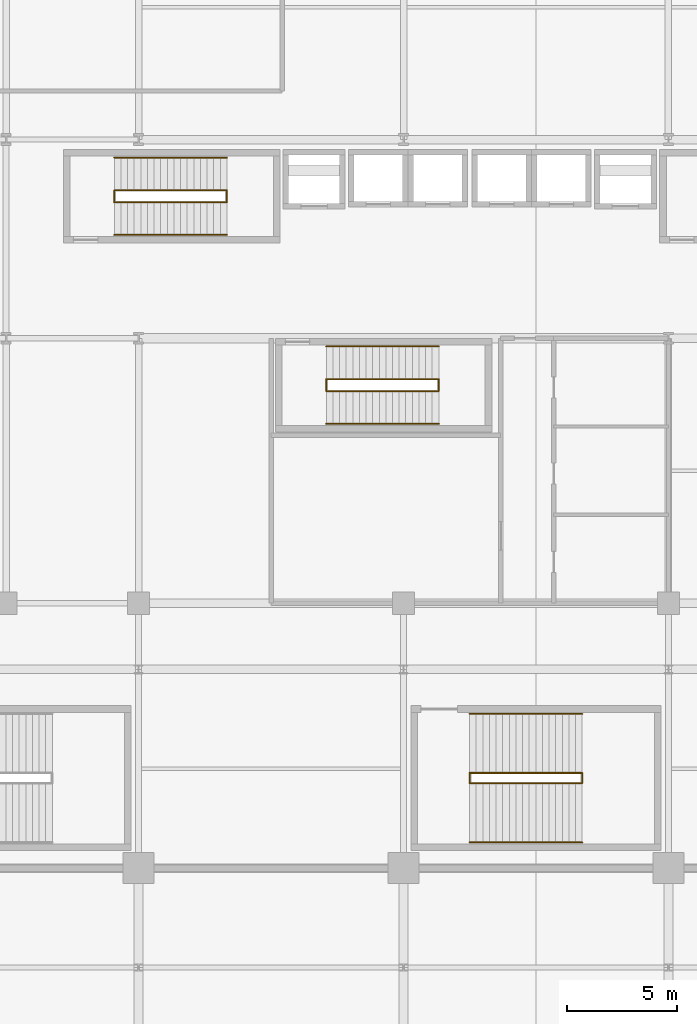
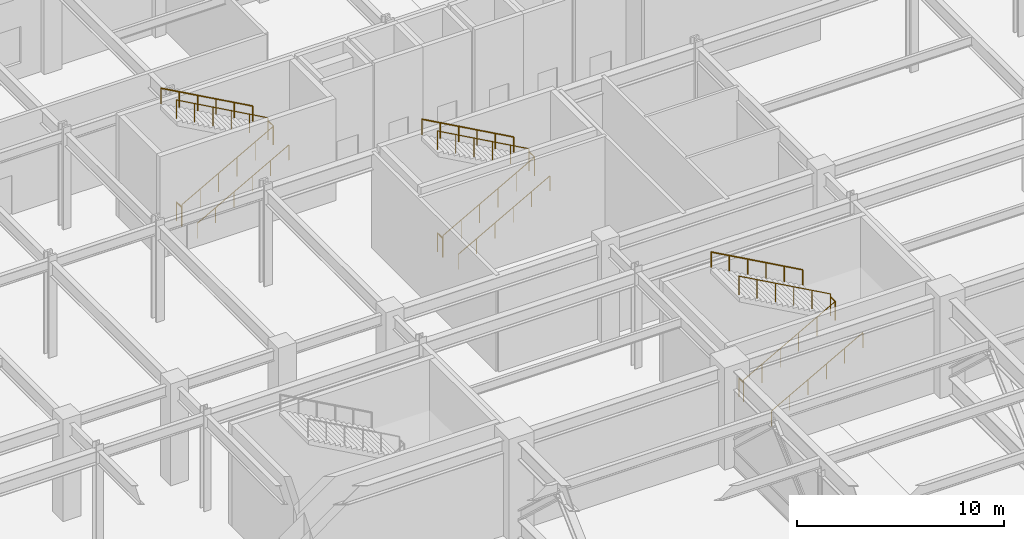
# One storey, part 104 of 108: 18 railings.
"""IFC4 building model written with IfcOpenShell, lengths in metres."""

from ifc_helpers import new_model, si_unit, direction, frame, origin, origin_2d, place, context, subcontext, project, spatial, circle, extrude, material, type_object, element, save


model = new_model("IFC4")

# Units and contexts
model_context = context("Model", 3, precision=1e-05, world=origin(), true_north=direction((0.0, 1.0)))
body_context = subcontext(model_context, "Body", "Model", "MODEL_VIEW")
ifc_project = project(units=[si_unit("LENGTHUNIT", "METRE"), si_unit("AREAUNIT", "SQUARE_METRE"), si_unit("VOLUMEUNIT", "CUBIC_METRE"), si_unit("PLANEANGLEUNIT", "RADIAN"), si_unit("MASSUNIT", "GRAM", prefix="KILO")], contexts=[model_context])

# Site, building, storey
site_placement = place(None, origin())
site = spatial("IfcSite", under=ifc_project, at=site_placement, CompositionType="ELEMENT")
building_placement = place(site_placement, origin())
building = spatial("IfcBuilding", under=site, at=building_placement, Name="Kaldorvane Square Convention Centre", CompositionType="ELEMENT")
storey_placement = place(building_placement, frame((0.0, 0.0, 12.0)))
storey = spatial("IfcBuildingStorey", under=building, at=storey_placement, Name="L02", CompositionType="ELEMENT", Elevation=12.0)

# Railings
ifc_material = material(Name="Architectural Painted Steel", Category="steel")
railing_type_1 = type_object("IfcRailingType", Name="RL-GUARD-1120", PredefinedType="BALUSTRADE", material=ifc_material)
for number, where, name in (
    (1, (40.899993896484375, 102.16999816894531, 0.0), "Tower Exit Stair T1 Floor Well Guard (L02)"),
    (2, (46.0, 102.16999816894531, 3.0), "Tower Exit Stair T1 Half-Landing Guard (L02)"),
):
    element("IfcRailing", number, at=place(storey_placement, frame(where)), inside=storey, type_object=railing_type_1, Name=name, PredefinedType="BALUSTRADE", context=body_context, shape_type="SweptSolid", body=[
        extrude(circle(Radius=0.0240020751953125, at=origin_2d()), frame((0.0, 0.0, 1.0959930419921875), z_axis=(0.0, 1.0, 0.0), x_axis=(-1.0, 0.0, 0.0)), (0.0, 0.0, 1.0), 0.5200042724609375),
        extrude(circle(Radius=0.02099609375, at=origin_2d()), origin(), (0.0, 0.0, 1.0), 1.071990966796875),
        extrude(circle(Radius=0.02099609375, at=origin_2d()), frame((0.0, 0.5200042724609375, 0.0)), (0.0, 0.0, 1.0), 1.071990966796875),
    ])
railing_1_placement = place(storey_placement, frame((40.899993896484375, 102.16000366210938, 0.1666717529296875)))
element("IfcRailing", 3, at=railing_1_placement, inside=storey, type_object=railing_type_1, Name="Tower Exit Stair T1 Flight 1 Guard (L02)", PredefinedType="BALUSTRADE", context=body_context, shape_type="SweptSolid", body=[
    extrude(circle(Radius=0.0240020751953125, at=origin_2d()), frame((0.0, 0.0, 1.0959930419921875), z_axis=(0.874157892962, 0.0, 0.485641820864), x_axis=(0.0, 1.0, 0.0)), (0.0, 0.0, 1.0), 5.834197998046875),
    extrude(circle(Radius=0.02099609375, at=origin_2d()), origin(), (0.0, 0.0, 1.0), 1.071990966796875),
    extrude(circle(Radius=0.02099609375, at=origin_2d()), frame((1.0200042724609375, 0.0, 0.5666656494140625)), (0.0, 0.0, 1.0), 1.071990966796875),
    extrude(circle(Radius=0.02099609375, at=origin_2d()), frame((2.040008544921875, 0.0, 1.133331298828125)), (0.0, 0.0, 1.0), 1.071990966796875),
    extrude(circle(Radius=0.02099609375, at=origin_2d()), frame((3.05999755859375, 0.0, 1.6999969482421875)), (0.0, 0.0, 1.0), 1.071990966796875),
    extrude(circle(Radius=0.02099609375, at=origin_2d()), frame((4.0800018310546875, 0.0, 2.26666259765625)), (0.0, 0.0, 1.0), 1.071990966796875),
    extrude(circle(Radius=0.02099609375, at=origin_2d()), frame((5.100006103515625, 0.0, 2.8333282470703125)), (0.0, 0.0, 1.0), 1.071990966796875),
])
railing_2_placement = place(storey_placement, frame((46.0, 102.69999694824219, 3.1666717529296875)))
element("IfcRailing", 4, at=railing_2_placement, inside=storey, type_object=railing_type_1, Name="Tower Exit Stair T1 Flight 2 Guard (L02)", PredefinedType="BALUSTRADE", context=body_context, shape_type="SweptSolid", body=[
    extrude(circle(Radius=0.0240020751953125, at=origin_2d()), frame((0.0, 0.0, 1.0959930419921875), z_axis=(-0.874157892962, 0.0, 0.485641820864), x_axis=(0.0, -1.0, 0.0)), (0.0, 0.0, 1.0), 5.834197998046875),
    extrude(circle(Radius=0.02099609375, at=origin_2d()), origin(), (0.0, 0.0, 1.0), 1.071990966796875),
    extrude(circle(Radius=0.02099609375, at=origin_2d()), frame((-1.0200042724609375, 0.0, 0.5666656494140625)), (0.0, 0.0, 1.0), 1.071990966796875),
    extrude(circle(Radius=0.02099609375, at=origin_2d()), frame((-2.040008544921875, 0.0, 1.133331298828125)), (0.0, 0.0, 1.0), 1.071990966796875),
    extrude(circle(Radius=0.02099609375, at=origin_2d()), frame((-3.05999755859375, 0.0, 1.6999969482421875)), (0.0, 0.0, 1.0), 1.071990966796875),
    extrude(circle(Radius=0.02099609375, at=origin_2d()), frame((-4.0800018310546875, 0.0, 2.26666259765625)), (0.0, 0.0, 1.0), 1.071990966796875),
    extrude(circle(Radius=0.02099609375, at=origin_2d()), frame((-5.100006103515625, 0.0, 2.8333282470703125)), (0.0, 0.0, 1.0), 1.071990966796875),
])
for number, where, name in (
    (5, (50.5, 93.6199951171875, 0.0), "Tower Exit Stair T3 Floor Well Guard (L02)"),
    (6, (55.600006103515625, 93.6199951171875, 3.0), "Tower Exit Stair T3 Half-Landing Guard (L02)"),
):
    element("IfcRailing", number, at=place(storey_placement, frame(where)), inside=storey, type_object=railing_type_1, Name=name, PredefinedType="BALUSTRADE", context=body_context, shape_type="SweptSolid", body=[
        extrude(circle(Radius=0.0240020751953125, at=origin_2d()), frame((0.0, 0.0, 1.0959930419921875), z_axis=(0.0, 1.0, 0.0), x_axis=(-1.0, 0.0, 0.0)), (0.0, 0.0, 1.0), 0.5200042724609375),
        extrude(circle(Radius=0.02099609375, at=origin_2d()), origin(), (0.0, 0.0, 1.0), 1.071990966796875),
        extrude(circle(Radius=0.02099609375, at=origin_2d()), frame((0.0, 0.5200042724609375, 0.0)), (0.0, 0.0, 1.0), 1.071990966796875),
    ])
railing_3_placement = place(storey_placement, frame((50.5, 93.61000061035156, 0.1666717529296875)))
element("IfcRailing", 7, at=railing_3_placement, inside=storey, type_object=railing_type_1, Name="Tower Exit Stair T3 Flight 1 Guard (L02)", PredefinedType="BALUSTRADE", context=body_context, shape_type="SweptSolid", body=[
    extrude(circle(Radius=0.0240020751953125, at=origin_2d()), frame((0.0, 0.0, 1.0959930419921875), z_axis=(0.874157892962, 0.0, 0.485641820864), x_axis=(0.0, 1.0, 0.0)), (0.0, 0.0, 1.0), 5.834197998046875),
    extrude(circle(Radius=0.02099609375, at=origin_2d()), origin(), (0.0, 0.0, 1.0), 1.071990966796875),
    extrude(circle(Radius=0.02099609375, at=origin_2d()), frame((1.0200042724609375, 0.0, 0.5666656494140625)), (0.0, 0.0, 1.0), 1.071990966796875),
    extrude(circle(Radius=0.02099609375, at=origin_2d()), frame((2.040008544921875, 0.0, 1.133331298828125)), (0.0, 0.0, 1.0), 1.071990966796875),
    extrude(circle(Radius=0.02099609375, at=origin_2d()), frame((3.05999755859375, 0.0, 1.6999969482421875)), (0.0, 0.0, 1.0), 1.071990966796875),
    extrude(circle(Radius=0.02099609375, at=origin_2d()), frame((4.0800018310546875, 0.0, 2.26666259765625)), (0.0, 0.0, 1.0), 1.071990966796875),
    extrude(circle(Radius=0.02099609375, at=origin_2d()), frame((5.100006103515625, 0.0, 2.8333282470703125)), (0.0, 0.0, 1.0), 1.071990966796875),
])
railing_4_placement = place(storey_placement, frame((55.600006103515625, 94.14999389648438, 3.1666717529296875)))
element("IfcRailing", 8, at=railing_4_placement, inside=storey, type_object=railing_type_1, Name="Tower Exit Stair T3 Flight 2 Guard (L02)", PredefinedType="BALUSTRADE", context=body_context, shape_type="SweptSolid", body=[
    extrude(circle(Radius=0.0240020751953125, at=origin_2d()), frame((0.0, 0.0, 1.0959930419921875), z_axis=(-0.874157892962, 0.0, 0.485641820864), x_axis=(0.0, -1.0, 0.0)), (0.0, 0.0, 1.0), 5.834197998046875),
    extrude(circle(Radius=0.02099609375, at=origin_2d()), origin(), (0.0, 0.0, 1.0), 1.071990966796875),
    extrude(circle(Radius=0.02099609375, at=origin_2d()), frame((-1.0200042724609375, 0.0, 0.5666656494140625)), (0.0, 0.0, 1.0), 1.071990966796875),
    extrude(circle(Radius=0.02099609375, at=origin_2d()), frame((-2.040008544921875, 0.0, 1.133331298828125)), (0.0, 0.0, 1.0), 1.071990966796875),
    extrude(circle(Radius=0.02099609375, at=origin_2d()), frame((-3.05999755859375, 0.0, 1.6999969482421875)), (0.0, 0.0, 1.0), 1.071990966796875),
    extrude(circle(Radius=0.02099609375, at=origin_2d()), frame((-4.0800018310546875, 0.0, 2.26666259765625)), (0.0, 0.0, 1.0), 1.071990966796875),
    extrude(circle(Radius=0.02099609375, at=origin_2d()), frame((-5.100006103515625, 0.0, 2.8333282470703125)), (0.0, 0.0, 1.0), 1.071990966796875),
])
for number, where, name in (
    (9, (56.99000549316406, 75.86000061035156, 0.0), "Convention Exit Stair C14 Floor Well Guard (L02)"),
    (10, (62.089996337890625, 75.86000061035156, 3.0), "Convention Exit Stair C14 Half-Landing Guard (L02)"),
):
    element("IfcRailing", number, at=place(storey_placement, frame(where)), inside=storey, type_object=railing_type_1, Name=name, PredefinedType="BALUSTRADE", context=body_context, shape_type="SweptSolid", body=[
        extrude(circle(Radius=0.0240020751953125, at=origin_2d()), frame((0.0, 0.0, 1.0959930419921875), z_axis=(0.0, 1.0, 0.0), x_axis=(-1.0, 0.0, 0.0)), (0.0, 0.0, 1.0), 0.44000244140625),
        extrude(circle(Radius=0.02099609375, at=origin_2d()), origin(), (0.0, 0.0, 1.0), 1.071990966796875),
        extrude(circle(Radius=0.02099609375, at=origin_2d()), frame((0.0, 0.44000244140625, 0.0)), (0.0, 0.0, 1.0), 1.071990966796875),
    ])
railing_5_placement = place(storey_placement, frame((56.99000549316406, 75.85000610351562, 0.1666717529296875)))
element("IfcRailing", 11, at=railing_5_placement, inside=storey, type_object=railing_type_1, Name="Convention Exit Stair C14 Flight 1 Guard (L02)", PredefinedType="BALUSTRADE", context=body_context, shape_type="SweptSolid", body=[
    extrude(circle(Radius=0.0240020751953125, at=origin_2d()), frame((0.0, 0.0, 1.0959930419921875), z_axis=(0.874157276122, 0.0, 0.485642931179), x_axis=(0.0, 1.0, 0.0)), (0.0, 0.0, 1.0), 5.8341827392578125),
    extrude(circle(Radius=0.02099609375, at=origin_2d()), origin(), (0.0, 0.0, 1.0), 1.071990966796875),
    extrude(circle(Radius=0.02099609375, at=origin_2d()), frame((1.0200042724609375, 0.0, 0.5666656494140625)), (0.0, 0.0, 1.0), 1.071990966796875),
    extrude(circle(Radius=0.02099609375, at=origin_2d()), frame((2.0399932861328125, 0.0, 1.133331298828125)), (0.0, 0.0, 1.0), 1.071990966796875),
    extrude(circle(Radius=0.02099609375, at=origin_2d()), frame((3.05999755859375, 0.0, 1.6999969482421875)), (0.0, 0.0, 1.0), 1.071990966796875),
    extrude(circle(Radius=0.02099609375, at=origin_2d()), frame((4.079986572265625, 0.0, 2.26666259765625)), (0.0, 0.0, 1.0), 1.071990966796875),
    extrude(circle(Radius=0.02099609375, at=origin_2d()), frame((5.0999908447265625, 0.0, 2.8333282470703125)), (0.0, 0.0, 1.0), 1.071990966796875),
])
railing_6_placement = place(storey_placement, frame((62.089996337890625, 76.30999755859375, 3.1666717529296875)))
element("IfcRailing", 12, at=railing_6_placement, inside=storey, type_object=railing_type_1, Name="Convention Exit Stair C14 Flight 2 Guard (L02)", PredefinedType="BALUSTRADE", context=body_context, shape_type="SweptSolid", body=[
    extrude(circle(Radius=0.0240020751953125, at=origin_2d()), frame((0.0, 0.0, 1.0959930419921875), z_axis=(-0.874157276122, 0.0, 0.485642931179), x_axis=(0.0, -1.0, 0.0)), (0.0, 0.0, 1.0), 5.8341827392578125),
    extrude(circle(Radius=0.02099609375, at=origin_2d()), origin(), (0.0, 0.0, 1.0), 1.071990966796875),
    extrude(circle(Radius=0.02099609375, at=origin_2d()), frame((-1.0200042724609375, 0.0, 0.5666656494140625)), (0.0, 0.0, 1.0), 1.071990966796875),
    extrude(circle(Radius=0.02099609375, at=origin_2d()), frame((-2.0399932861328125, 0.0, 1.133331298828125)), (0.0, 0.0, 1.0), 1.071990966796875),
    extrude(circle(Radius=0.02099609375, at=origin_2d()), frame((-3.05999755859375, 0.0, 1.6999969482421875)), (0.0, 0.0, 1.0), 1.071990966796875),
    extrude(circle(Radius=0.02099609375, at=origin_2d()), frame((-4.079986572265625, 0.0, 2.26666259765625)), (0.0, 0.0, 1.0), 1.071990966796875),
    extrude(circle(Radius=0.02099609375, at=origin_2d()), frame((-5.0999908447265625, 0.0, 2.8333282470703125)), (0.0, 0.0, 1.0), 1.071990966796875),
])
railing_type_2 = type_object("IfcRailingType", Name="RL-HAND-915", PredefinedType="HANDRAIL", material=ifc_material)
railing_7_placement = place(storey_placement, frame((40.899993896484375, 100.67999267578125, 0.1666717529296875)))
element("IfcRailing", 13, at=railing_7_placement, inside=storey, type_object=railing_type_2, Name="Tower Exit Stair T1 Wall Handrail 1 (L02)", PredefinedType="HANDRAIL", context=body_context, shape_type="SweptSolid", body=[
    extrude(circle(Radius=0.0240020751953125, at=origin_2d()), frame((0.0, 0.0, 0.8909912109375), z_axis=(0.874157892962, 0.0, 0.485641820864), x_axis=(0.0, 1.0, 0.0)), (0.0, 0.0, 1.0), 5.834197998046875),
    extrude(circle(Radius=0.02099609375, at=origin_2d()), origin(), (0.0, 0.0, 1.0), 0.8669891357421875),
    extrude(circle(Radius=0.02099609375, at=origin_2d()), frame((1.0200042724609375, 0.0, 0.5666656494140625)), (0.0, 0.0, 1.0), 0.8669891357421875),
    extrude(circle(Radius=0.02099609375, at=origin_2d()), frame((2.040008544921875, 0.0, 1.133331298828125)), (0.0, 0.0, 1.0), 0.8669891357421875),
    extrude(circle(Radius=0.02099609375, at=origin_2d()), frame((3.05999755859375, 0.0, 1.6999969482421875)), (0.0, 0.0, 1.0), 0.8669891357421875),
    extrude(circle(Radius=0.02099609375, at=origin_2d()), frame((4.0800018310546875, 0.0, 2.26666259765625)), (0.0, 0.0, 1.0), 0.8669891357421875),
    extrude(circle(Radius=0.02099609375, at=origin_2d()), frame((5.100006103515625, 0.0, 2.8333282470703125)), (0.0, 0.0, 1.0), 0.8669891357421875),
])
railing_8_placement = place(storey_placement, frame((46.0, 104.17999267578125, 3.1666717529296875)))
element("IfcRailing", 14, at=railing_8_placement, inside=storey, type_object=railing_type_2, Name="Tower Exit Stair T1 Wall Handrail 2 (L02)", PredefinedType="HANDRAIL", context=body_context, shape_type="SweptSolid", body=[
    extrude(circle(Radius=0.0240020751953125, at=origin_2d()), frame((0.0, 0.0, 0.8909912109375), z_axis=(-0.874157892962, 0.0, 0.485641820864), x_axis=(0.0, -1.0, 0.0)), (0.0, 0.0, 1.0), 5.834197998046875),
    extrude(circle(Radius=0.02099609375, at=origin_2d()), origin(), (0.0, 0.0, 1.0), 0.8669891357421875),
    extrude(circle(Radius=0.02099609375, at=origin_2d()), frame((-1.0200042724609375, 0.0, 0.5666656494140625)), (0.0, 0.0, 1.0), 0.8669891357421875),
    extrude(circle(Radius=0.02099609375, at=origin_2d()), frame((-2.040008544921875, 0.0, 1.133331298828125)), (0.0, 0.0, 1.0), 0.8669891357421875),
    extrude(circle(Radius=0.02099609375, at=origin_2d()), frame((-3.05999755859375, 0.0, 1.6999969482421875)), (0.0, 0.0, 1.0), 0.8669891357421875),
    extrude(circle(Radius=0.02099609375, at=origin_2d()), frame((-4.0800018310546875, 0.0, 2.26666259765625)), (0.0, 0.0, 1.0), 0.8669891357421875),
    extrude(circle(Radius=0.02099609375, at=origin_2d()), frame((-5.100006103515625, 0.0, 2.8333282470703125)), (0.0, 0.0, 1.0), 0.8669891357421875),
])
railing_9_placement = place(storey_placement, frame((50.5, 92.1300048828125, 0.1666717529296875)))
element("IfcRailing", 15, at=railing_9_placement, inside=storey, type_object=railing_type_2, Name="Tower Exit Stair T3 Wall Handrail 1 (L02)", PredefinedType="HANDRAIL", context=body_context, shape_type="SweptSolid", body=[
    extrude(circle(Radius=0.0240020751953125, at=origin_2d()), frame((0.0, 0.0, 0.8909912109375), z_axis=(0.874157892962, 0.0, 0.485641820864), x_axis=(0.0, 1.0, 0.0)), (0.0, 0.0, 1.0), 5.834197998046875),
    extrude(circle(Radius=0.02099609375, at=origin_2d()), origin(), (0.0, 0.0, 1.0), 0.8669891357421875),
    extrude(circle(Radius=0.02099609375, at=origin_2d()), frame((1.0200042724609375, 0.0, 0.5666656494140625)), (0.0, 0.0, 1.0), 0.8669891357421875),
    extrude(circle(Radius=0.02099609375, at=origin_2d()), frame((2.040008544921875, 0.0, 1.133331298828125)), (0.0, 0.0, 1.0), 0.8669891357421875),
    extrude(circle(Radius=0.02099609375, at=origin_2d()), frame((3.05999755859375, 0.0, 1.6999969482421875)), (0.0, 0.0, 1.0), 0.8669891357421875),
    extrude(circle(Radius=0.02099609375, at=origin_2d()), frame((4.0800018310546875, 0.0, 2.26666259765625)), (0.0, 0.0, 1.0), 0.8669891357421875),
    extrude(circle(Radius=0.02099609375, at=origin_2d()), frame((5.100006103515625, 0.0, 2.8333282470703125)), (0.0, 0.0, 1.0), 0.8669891357421875),
])
railing_10_placement = place(storey_placement, frame((55.600006103515625, 95.6300048828125, 3.1666717529296875)))
element("IfcRailing", 16, at=railing_10_placement, inside=storey, type_object=railing_type_2, Name="Tower Exit Stair T3 Wall Handrail 2 (L02)", PredefinedType="HANDRAIL", context=body_context, shape_type="SweptSolid", body=[
    extrude(circle(Radius=0.0240020751953125, at=origin_2d()), frame((0.0, 0.0, 0.8909912109375), z_axis=(-0.874157892962, 0.0, 0.485641820864), x_axis=(0.0, -1.0, 0.0)), (0.0, 0.0, 1.0), 5.834197998046875),
    extrude(circle(Radius=0.02099609375, at=origin_2d()), origin(), (0.0, 0.0, 1.0), 0.8669891357421875),
    extrude(circle(Radius=0.02099609375, at=origin_2d()), frame((-1.0200042724609375, 0.0, 0.5666656494140625)), (0.0, 0.0, 1.0), 0.8669891357421875),
    extrude(circle(Radius=0.02099609375, at=origin_2d()), frame((-2.040008544921875, 0.0, 1.133331298828125)), (0.0, 0.0, 1.0), 0.8669891357421875),
    extrude(circle(Radius=0.02099609375, at=origin_2d()), frame((-3.05999755859375, 0.0, 1.6999969482421875)), (0.0, 0.0, 1.0), 0.8669891357421875),
    extrude(circle(Radius=0.02099609375, at=origin_2d()), frame((-4.0800018310546875, 0.0, 2.26666259765625)), (0.0, 0.0, 1.0), 0.8669891357421875),
    extrude(circle(Radius=0.02099609375, at=origin_2d()), frame((-5.100006103515625, 0.0, 2.8333282470703125)), (0.0, 0.0, 1.0), 0.8669891357421875),
])
railing_11_placement = place(storey_placement, frame((56.99000549316406, 73.16999816894531, 0.1666717529296875)))
element("IfcRailing", 17, at=railing_11_placement, inside=storey, type_object=railing_type_2, Name="Convention Exit Stair C14 Wall Handrail 1 (L02)", PredefinedType="HANDRAIL", context=body_context, shape_type="SweptSolid", body=[
    extrude(circle(Radius=0.0240020751953125, at=origin_2d()), frame((0.0, 0.0, 0.8909912109375), z_axis=(0.874157276122, 0.0, 0.485642931179), x_axis=(0.0, 1.0, 0.0)), (0.0, 0.0, 1.0), 5.8341827392578125),
    extrude(circle(Radius=0.02099609375, at=origin_2d()), origin(), (0.0, 0.0, 1.0), 0.8669891357421875),
    extrude(circle(Radius=0.02099609375, at=origin_2d()), frame((1.0200042724609375, 0.0, 0.5666656494140625)), (0.0, 0.0, 1.0), 0.8669891357421875),
    extrude(circle(Radius=0.02099609375, at=origin_2d()), frame((2.0399932861328125, 0.0, 1.133331298828125)), (0.0, 0.0, 1.0), 0.8669891357421875),
    extrude(circle(Radius=0.02099609375, at=origin_2d()), frame((3.05999755859375, 0.0, 1.6999969482421875)), (0.0, 0.0, 1.0), 0.8669891357421875),
    extrude(circle(Radius=0.02099609375, at=origin_2d()), frame((4.079986572265625, 0.0, 2.26666259765625)), (0.0, 0.0, 1.0), 0.8669891357421875),
    extrude(circle(Radius=0.02099609375, at=origin_2d()), frame((5.0999908447265625, 0.0, 2.8333282470703125)), (0.0, 0.0, 1.0), 0.8669891357421875),
])
railing_12_placement = place(storey_placement, frame((62.089996337890625, 78.99000549316406, 3.1666717529296875)))
element("IfcRailing", 18, at=railing_12_placement, inside=storey, type_object=railing_type_2, Name="Convention Exit Stair C14 Wall Handrail 2 (L02)", PredefinedType="HANDRAIL", context=body_context, shape_type="SweptSolid", body=[
    extrude(circle(Radius=0.0240020751953125, at=origin_2d()), frame((0.0, 0.0, 0.8909912109375), z_axis=(-0.874157276122, 0.0, 0.485642931179), x_axis=(0.0, -1.0, 0.0)), (0.0, 0.0, 1.0), 5.8341827392578125),
    extrude(circle(Radius=0.02099609375, at=origin_2d()), origin(), (0.0, 0.0, 1.0), 0.8669891357421875),
    extrude(circle(Radius=0.02099609375, at=origin_2d()), frame((-1.0200042724609375, 0.0, 0.5666656494140625)), (0.0, 0.0, 1.0), 0.8669891357421875),
    extrude(circle(Radius=0.02099609375, at=origin_2d()), frame((-2.0399932861328125, 0.0, 1.133331298828125)), (0.0, 0.0, 1.0), 0.8669891357421875),
    extrude(circle(Radius=0.02099609375, at=origin_2d()), frame((-3.05999755859375, 0.0, 1.6999969482421875)), (0.0, 0.0, 1.0), 0.8669891357421875),
    extrude(circle(Radius=0.02099609375, at=origin_2d()), frame((-4.079986572265625, 0.0, 2.26666259765625)), (0.0, 0.0, 1.0), 0.8669891357421875),
    extrude(circle(Radius=0.02099609375, at=origin_2d()), frame((-5.0999908447265625, 0.0, 2.8333282470703125)), (0.0, 0.0, 1.0), 0.8669891357421875),
])

save(model, "model.ifc")
